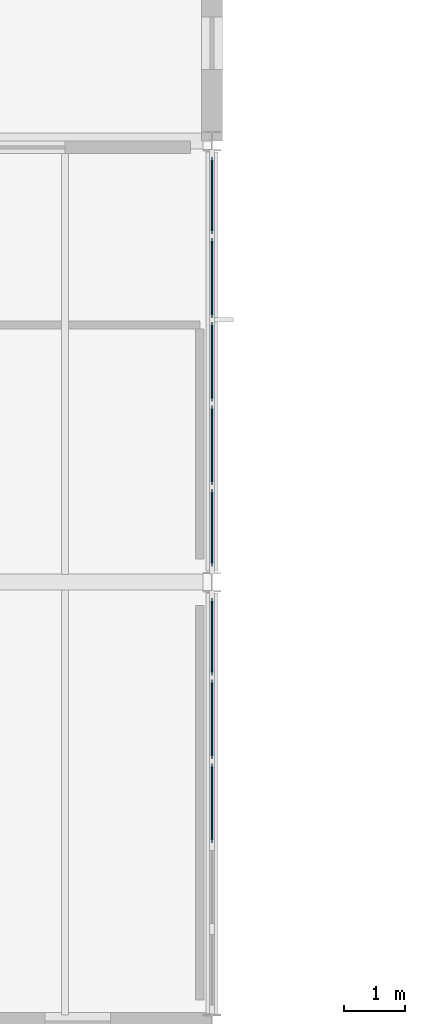
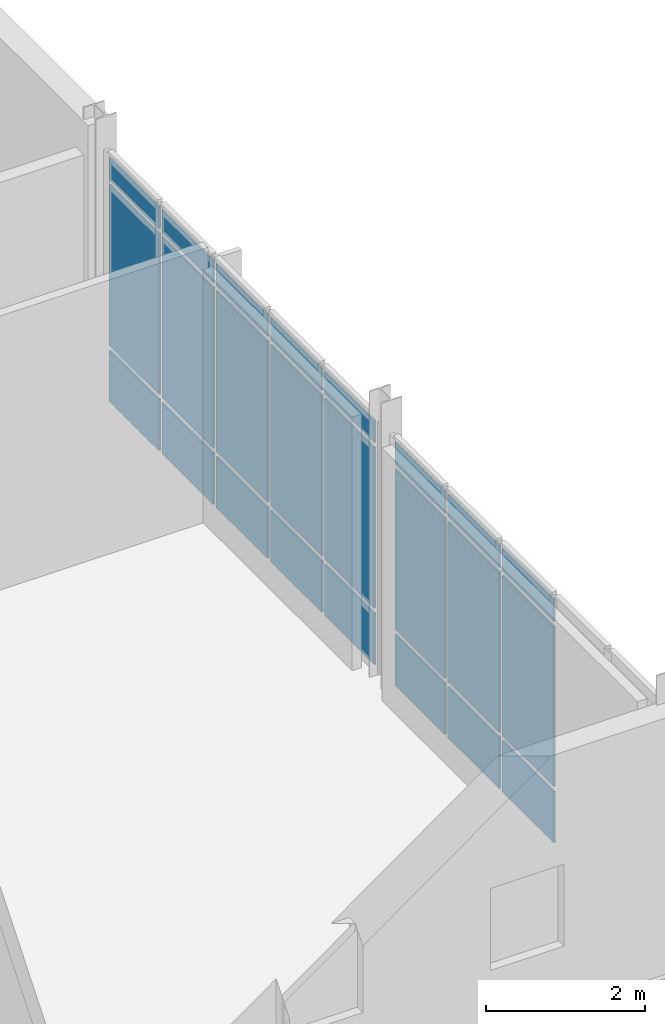
# One storey, part 25 of 43: 24 plates, 2 elements without a shape of their own.
"""IFC4 building model written with IfcOpenShell, lengths in metres."""

from ifc_helpers import new_model, si_unit, direction, frame, origin, origin_2d, place, context, subcontext, project, spatial, rectangle, extrude, material, layer, layer_set, type_object, element, aggregate, save


model = new_model("IFC4")

# Units and contexts
model_context = context("Model", 3, precision=1e-05, world=origin(), true_north=direction((0.0, 1.0)))
body_context = subcontext(model_context, "Body", "Model", "MODEL_VIEW")
ifc_project = project(units=[si_unit("LENGTHUNIT", "METRE"), si_unit("AREAUNIT", "SQUARE_METRE"), si_unit("VOLUMEUNIT", "CUBIC_METRE"), si_unit("PLANEANGLEUNIT", "RADIAN"), si_unit("MASSUNIT", "GRAM", prefix="KILO")], contexts=[model_context])

# Site, building, storey
site_placement = place(None, origin())
site = spatial("IfcSite", under=ifc_project, at=site_placement, CompositionType="ELEMENT")
building_placement = place(site_placement, origin())
building = spatial("IfcBuilding", under=site, at=building_placement, Name="Zarrinpeak Specialist Clinic", CompositionType="ELEMENT")
storey_placement = place(building_placement, frame((0.0, 0.0, 18.39990234375)))
storey = spatial("IfcBuildingStorey", under=building, at=storey_placement, Name="L04", CompositionType="ELEMENT", Elevation=18.39990234375)

# Curtain wall, plates
ifc_material_1 = material(Name="Anodised Aluminium Alloy 6063-T6", Category="aluminium")
ifc_layer_1 = layer(ifc_material_1, 0.1650390625)
ifc_layer_set_1 = layer_set([ifc_layer_1], Name="Anodised Aluminium Alloy 6063-T6")
curtain_wall_type = type_object("IfcCurtainWallType", Name="CW-CLINIC", PredefinedType="NOTDEFINED", material=ifc_layer_set_1)
curtain_wall_1_placement = place(storey_placement, origin())
curtain_wall_1 = element("IfcCurtainWall", 1, at=curtain_wall_1_placement, inside=storey, type_object=curtain_wall_type, Name="L04 V6 Unitised Curtain Wall CW-L04-V6-157", PredefinedType="NOTDEFINED")
ifc_material_2 = material(Name="Double Low-E Insulated Glazing", Category="glass")
ifc_layer_2 = layer(ifc_material_2, 0.028076171875)
ifc_layer_set_2 = layer_set([ifc_layer_2], Name="Double Low-E Insulated Glazing")
plate_type = type_object("IfcPlateType", Name="CWP-GLZ28", PredefinedType="CURTAIN_PANEL", material=ifc_layer_set_2)
plate_1_placement = place(storey_placement, frame((64.800048828125, 92.7900390625, 0.074951171875), z_axis=(0.0, 0.0, 1.0), x_axis=(0.0, 1.0, 0.0)))
plate_1 = element("IfcPlate", 2, at=plate_1_placement, type_object=plate_type, Name="CW-03 panel 3.1", PredefinedType="CURTAIN_PANEL", context=body_context, shape_type="SweptSolid", body=[
    extrude(rectangle(XDim=1.294921875, YDim=0.028076171875, at=origin_2d()), origin(), (0.0, 0.0, 1.0), 0.78759765625),
])
plate_2_placement = place(storey_placement, frame((64.800048828125, 92.7900390625, 0.9375), z_axis=(0.0, 0.0, 1.0), x_axis=(0.0, 1.0, 0.0)))
plate_2 = element("IfcPlate", 3, at=plate_2_placement, type_object=plate_type, Name="CW-03 panel 3.2", PredefinedType="CURTAIN_PANEL", context=body_context, shape_type="SweptSolid", body=[
    extrude(rectangle(XDim=1.294921875, YDim=0.028076171875, at=origin_2d()), origin(), (0.0, 0.0, 1.0), 2.465087890625),
])
plate_3_placement = place(storey_placement, frame((64.800048828125, 92.7900390625, 3.4775390625), z_axis=(0.0, 0.0, 1.0), x_axis=(0.0, 1.0, 0.0)))
plate_3 = element("IfcPlate", 4, at=plate_3_placement, type_object=plate_type, Name="CW-03 panel 3.3", PredefinedType="CURTAIN_PANEL", context=body_context, shape_type="SweptSolid", body=[
    extrude(rectangle(XDim=1.294921875, YDim=0.028076171875, at=origin_2d()), origin(), (0.0, 0.0, 1.0), 0.33740234375),
])
plate_4_placement = place(storey_placement, frame((64.800048828125, 94.159912109375, 0.074951171875), z_axis=(0.0, 0.0, 1.0), x_axis=(0.0, 1.0, 0.0)))
plate_4 = element("IfcPlate", 5, at=plate_4_placement, type_object=plate_type, Name="CW-03 panel 4.1", PredefinedType="CURTAIN_PANEL", context=body_context, shape_type="SweptSolid", body=[
    extrude(rectangle(XDim=1.294921875, YDim=0.028076171875, at=origin_2d()), origin(), (0.0, 0.0, 1.0), 0.78759765625),
])
plate_5_placement = place(storey_placement, frame((64.800048828125, 94.159912109375, 0.9375), z_axis=(0.0, 0.0, 1.0), x_axis=(0.0, 1.0, 0.0)))
plate_5 = element("IfcPlate", 6, at=plate_5_placement, type_object=plate_type, Name="CW-03 panel 4.2", PredefinedType="CURTAIN_PANEL", context=body_context, shape_type="SweptSolid", body=[
    extrude(rectangle(XDim=1.294921875, YDim=0.028076171875, at=origin_2d()), origin(), (0.0, 0.0, 1.0), 2.465087890625),
])
plate_6_placement = place(storey_placement, frame((64.800048828125, 94.159912109375, 3.4775390625), z_axis=(0.0, 0.0, 1.0), x_axis=(0.0, 1.0, 0.0)))
plate_6 = element("IfcPlate", 7, at=plate_6_placement, type_object=plate_type, Name="CW-03 panel 4.3", PredefinedType="CURTAIN_PANEL", context=body_context, shape_type="SweptSolid", body=[
    extrude(rectangle(XDim=1.294921875, YDim=0.028076171875, at=origin_2d()), origin(), (0.0, 0.0, 1.0), 0.33740234375),
])
plate_7_placement = place(storey_placement, frame((64.800048828125, 95.51123046875, 0.074951171875), z_axis=(0.0, 0.0, 1.0), x_axis=(0.0, 1.0, 0.0)))
plate_7 = element("IfcPlate", 8, at=plate_7_placement, type_object=plate_type, Name="CW-03 panel 5.1", PredefinedType="CURTAIN_PANEL", context=body_context, shape_type="SweptSolid", body=[
    extrude(rectangle(XDim=1.257568359375, YDim=0.028076171875, at=origin_2d()), origin(), (0.0, 0.0, 1.0), 0.78759765625),
])
plate_8_placement = place(storey_placement, frame((64.800048828125, 95.51123046875, 0.9375), z_axis=(0.0, 0.0, 1.0), x_axis=(0.0, 1.0, 0.0)))
plate_8 = element("IfcPlate", 9, at=plate_8_placement, type_object=plate_type, Name="CW-03 panel 5.2", PredefinedType="CURTAIN_PANEL", context=body_context, shape_type="SweptSolid", body=[
    extrude(rectangle(XDim=1.257568359375, YDim=0.028076171875, at=origin_2d()), origin(), (0.0, 0.0, 1.0), 2.465087890625),
])
plate_9_placement = place(storey_placement, frame((64.800048828125, 95.51123046875, 3.4775390625), z_axis=(0.0, 0.0, 1.0), x_axis=(0.0, 1.0, 0.0)))
plate_9 = element("IfcPlate", 10, at=plate_9_placement, type_object=plate_type, Name="CW-03 panel 5.3", PredefinedType="CURTAIN_PANEL", context=body_context, shape_type="SweptSolid", body=[
    extrude(rectangle(XDim=1.257568359375, YDim=0.028076171875, at=origin_2d()), origin(), (0.0, 0.0, 1.0), 0.33740234375),
])
aggregate(curtain_wall_1, [plate_1, plate_2, plate_3, plate_4, plate_5, plate_6, plate_7, plate_8, plate_9])

curtain_wall_2_placement = place(storey_placement, origin())
curtain_wall_2 = element("IfcCurtainWall", 11, at=curtain_wall_2_placement, inside=storey, type_object=curtain_wall_type, Name="L04 V6 Unitised Curtain Wall CW-L04-V6-158", PredefinedType="NOTDEFINED")
plate_10_placement = place(storey_placement, frame((64.800048828125, 97.286865234375, 0.074951171875), z_axis=(0.0, 0.0, 1.0), x_axis=(0.0, 1.0, 0.0)))
plate_10 = element("IfcPlate", 12, at=plate_10_placement, type_object=plate_type, Name="CW-03 panel 1.1", PredefinedType="CURTAIN_PANEL", context=body_context, shape_type="SweptSolid", body=[
    extrude(rectangle(XDim=1.25341796875, YDim=0.028076171875, at=origin_2d()), origin(), (0.0, 0.0, 1.0), 0.78759765625),
])
plate_11_placement = place(storey_placement, frame((64.800048828125, 97.286865234375, 0.9375), z_axis=(0.0, 0.0, 1.0), x_axis=(0.0, 1.0, 0.0)))
plate_11 = element("IfcPlate", 13, at=plate_11_placement, type_object=plate_type, Name="CW-03 panel 1.2", PredefinedType="CURTAIN_PANEL", context=body_context, shape_type="SweptSolid", body=[
    extrude(rectangle(XDim=1.25341796875, YDim=0.028076171875, at=origin_2d()), origin(), (0.0, 0.0, 1.0), 2.47509765625),
])
plate_12_placement = place(storey_placement, frame((64.800048828125, 97.286865234375, 3.487548828125), z_axis=(0.0, 0.0, 1.0), x_axis=(0.0, 1.0, 0.0)))
plate_12 = element("IfcPlate", 14, at=plate_12_placement, type_object=plate_type, Name="CW-03 panel 1.3", PredefinedType="CURTAIN_PANEL", context=body_context, shape_type="SweptSolid", body=[
    extrude(rectangle(XDim=1.25341796875, YDim=0.028076171875, at=origin_2d()), origin(), (0.0, 0.0, 1.0), 0.33740234375),
])
plate_13_placement = place(storey_placement, frame((64.800048828125, 98.634033203125, 0.074951171875), z_axis=(0.0, 0.0, 1.0), x_axis=(0.0, 1.0, 0.0)))
plate_13 = element("IfcPlate", 15, at=plate_13_placement, type_object=plate_type, Name="CW-03 panel 2.1", PredefinedType="CURTAIN_PANEL", context=body_context, shape_type="SweptSolid", body=[
    extrude(rectangle(XDim=1.291015625, YDim=0.028076171875, at=origin_2d()), origin(), (0.0, 0.0, 1.0), 0.78759765625),
])
plate_14_placement = place(storey_placement, frame((64.800048828125, 98.634033203125, 0.9375), z_axis=(0.0, 0.0, 1.0), x_axis=(0.0, 1.0, 0.0)))
plate_14 = element("IfcPlate", 16, at=plate_14_placement, type_object=plate_type, Name="CW-03 panel 2.2", PredefinedType="CURTAIN_PANEL", context=body_context, shape_type="SweptSolid", body=[
    extrude(rectangle(XDim=1.291015625, YDim=0.028076171875, at=origin_2d()), origin(), (0.0, 0.0, 1.0), 2.47509765625),
])
plate_15_placement = place(storey_placement, frame((64.800048828125, 98.634033203125, 3.487548828125), z_axis=(0.0, 0.0, 1.0), x_axis=(0.0, 1.0, 0.0)))
plate_15 = element("IfcPlate", 17, at=plate_15_placement, type_object=plate_type, Name="CW-03 panel 2.3", PredefinedType="CURTAIN_PANEL", context=body_context, shape_type="SweptSolid", body=[
    extrude(rectangle(XDim=1.291015625, YDim=0.028076171875, at=origin_2d()), origin(), (0.0, 0.0, 1.0), 0.33740234375),
])
plate_16_placement = place(storey_placement, frame((64.800048828125, 100.0, 0.074951171875), z_axis=(0.0, 0.0, 1.0), x_axis=(0.0, 1.0, 0.0)))
plate_16 = element("IfcPlate", 18, at=plate_16_placement, type_object=plate_type, Name="CW-03 panel 3.1", PredefinedType="CURTAIN_PANEL", context=body_context, shape_type="SweptSolid", body=[
    extrude(rectangle(XDim=1.291015625, YDim=0.028076171875, at=origin_2d()), origin(), (0.0, 0.0, 1.0), 0.78759765625),
])
plate_17_placement = place(storey_placement, frame((64.800048828125, 100.0, 0.9375), z_axis=(0.0, 0.0, 1.0), x_axis=(0.0, 1.0, 0.0)))
plate_17 = element("IfcPlate", 19, at=plate_17_placement, type_object=plate_type, Name="CW-03 panel 3.2", PredefinedType="CURTAIN_PANEL", context=body_context, shape_type="SweptSolid", body=[
    extrude(rectangle(XDim=1.291015625, YDim=0.028076171875, at=origin_2d()), origin(), (0.0, 0.0, 1.0), 2.47509765625),
])
plate_18_placement = place(storey_placement, frame((64.800048828125, 100.0, 3.487548828125), z_axis=(0.0, 0.0, 1.0), x_axis=(0.0, 1.0, 0.0)))
plate_18 = element("IfcPlate", 20, at=plate_18_placement, type_object=plate_type, Name="CW-03 panel 3.3", PredefinedType="CURTAIN_PANEL", context=body_context, shape_type="SweptSolid", body=[
    extrude(rectangle(XDim=1.291015625, YDim=0.028076171875, at=origin_2d()), origin(), (0.0, 0.0, 1.0), 0.33740234375),
])
plate_19_placement = place(storey_placement, frame((64.800048828125, 101.365966796875, 0.074951171875), z_axis=(0.0, 0.0, 1.0), x_axis=(0.0, 1.0, 0.0)))
plate_19 = element("IfcPlate", 21, at=plate_19_placement, type_object=plate_type, Name="CW-03 panel 4.1", PredefinedType="CURTAIN_PANEL", context=body_context, shape_type="SweptSolid", body=[
    extrude(rectangle(XDim=1.291015625, YDim=0.028076171875, at=origin_2d()), origin(), (0.0, 0.0, 1.0), 0.78759765625),
])
plate_20_placement = place(storey_placement, frame((64.800048828125, 101.365966796875, 0.9375), z_axis=(0.0, 0.0, 1.0), x_axis=(0.0, 1.0, 0.0)))
plate_20 = element("IfcPlate", 22, at=plate_20_placement, type_object=plate_type, Name="CW-03 panel 4.2", PredefinedType="CURTAIN_PANEL", context=body_context, shape_type="SweptSolid", body=[
    extrude(rectangle(XDim=1.291015625, YDim=0.028076171875, at=origin_2d()), origin(), (0.0, 0.0, 1.0), 2.47509765625),
])
plate_21_placement = place(storey_placement, frame((64.800048828125, 101.365966796875, 3.487548828125), z_axis=(0.0, 0.0, 1.0), x_axis=(0.0, 1.0, 0.0)))
plate_21 = element("IfcPlate", 23, at=plate_21_placement, type_object=plate_type, Name="CW-03 panel 4.3", PredefinedType="CURTAIN_PANEL", context=body_context, shape_type="SweptSolid", body=[
    extrude(rectangle(XDim=1.291015625, YDim=0.028076171875, at=origin_2d()), origin(), (0.0, 0.0, 1.0), 0.33740234375),
])
plate_22_placement = place(storey_placement, frame((64.800048828125, 102.713134765625, 0.074951171875), z_axis=(0.0, 0.0, 1.0), x_axis=(0.0, 1.0, 0.0)))
plate_22 = element("IfcPlate", 24, at=plate_22_placement, type_object=plate_type, Name="CW-03 panel 5.1", PredefinedType="CURTAIN_PANEL", context=body_context, shape_type="SweptSolid", body=[
    extrude(rectangle(XDim=1.25341796875, YDim=0.028076171875, at=origin_2d()), origin(), (0.0, 0.0, 1.0), 0.78759765625),
])
plate_23_placement = place(storey_placement, frame((64.800048828125, 102.713134765625, 0.9375), z_axis=(0.0, 0.0, 1.0), x_axis=(0.0, 1.0, 0.0)))
plate_23 = element("IfcPlate", 25, at=plate_23_placement, type_object=plate_type, Name="CW-03 panel 5.2", PredefinedType="CURTAIN_PANEL", context=body_context, shape_type="SweptSolid", body=[
    extrude(rectangle(XDim=1.25341796875, YDim=0.028076171875, at=origin_2d()), origin(), (0.0, 0.0, 1.0), 2.47509765625),
])
plate_24_placement = place(storey_placement, frame((64.800048828125, 102.713134765625, 3.487548828125), z_axis=(0.0, 0.0, 1.0), x_axis=(0.0, 1.0, 0.0)))
plate_24 = element("IfcPlate", 26, at=plate_24_placement, type_object=plate_type, Name="CW-03 panel 5.3", PredefinedType="CURTAIN_PANEL", context=body_context, shape_type="SweptSolid", body=[
    extrude(rectangle(XDim=1.25341796875, YDim=0.028076171875, at=origin_2d()), origin(), (0.0, 0.0, 1.0), 0.33740234375),
])
aggregate(curtain_wall_2, [plate_10, plate_11, plate_12, plate_13, plate_14, plate_15, plate_16, plate_17, plate_18, plate_19, plate_20, plate_21, plate_22, plate_23, plate_24])

save(model, "model.ifc")
